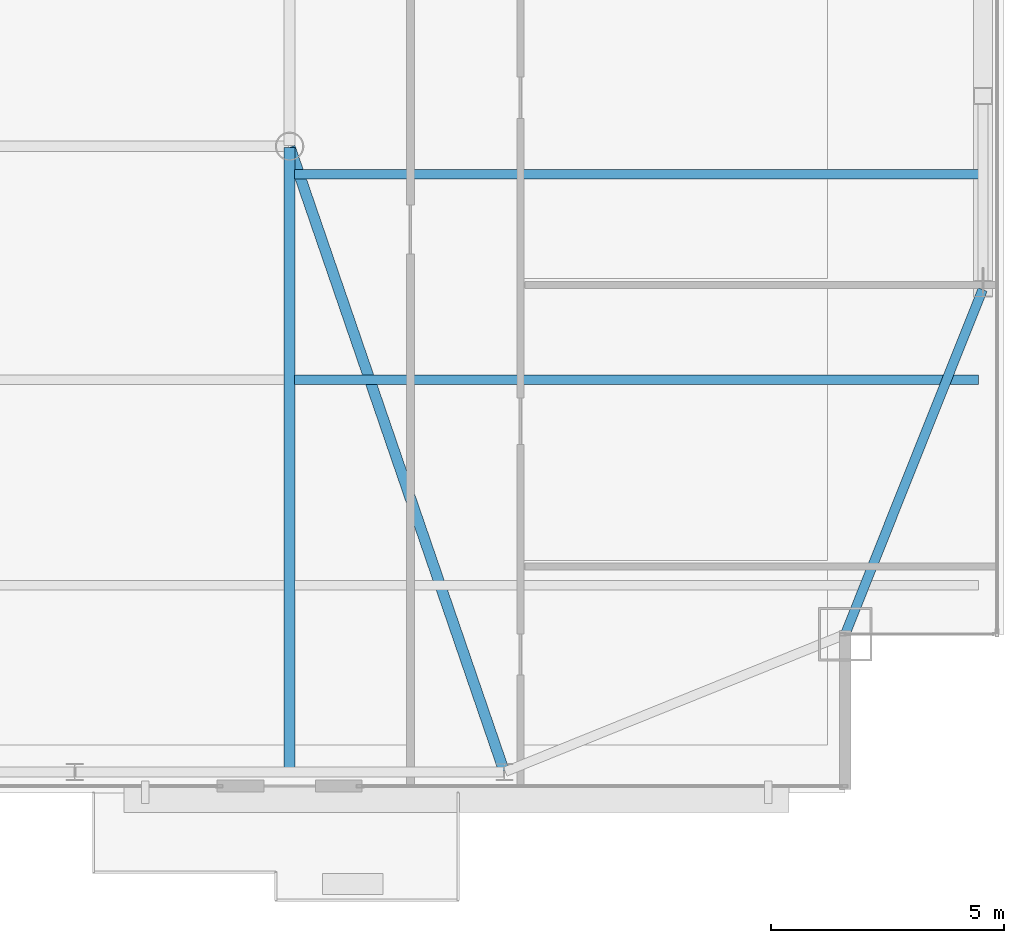
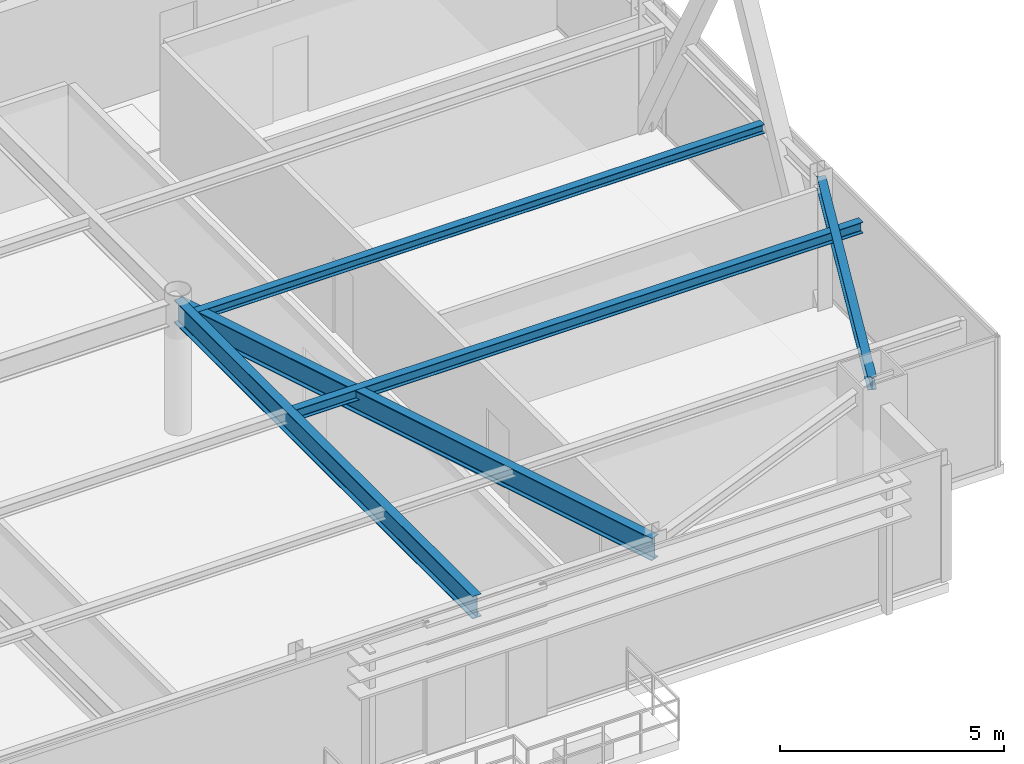
# One storey, part 16 of 31: 5 beams.
"""IFC4 building model written with IfcOpenShell, lengths in metres."""

from ifc_helpers import new_model, si_unit, direction, frame, origin, origin_2d, place, context, subcontext, project, spatial, i_section, extrude, source, transform, mapped, material, material_profile, profile_set, type_object, type_shapes, element, save


model = new_model("IFC4")

# Units and contexts
model_context = context("Model", 3, precision=1e-05, world=origin(), true_north=direction((0.0, 1.0)))
body_context = subcontext(model_context, "Body", "Model", "MODEL_VIEW")
ifc_project = project(units=[si_unit("LENGTHUNIT", "METRE"), si_unit("AREAUNIT", "SQUARE_METRE"), si_unit("VOLUMEUNIT", "CUBIC_METRE"), si_unit("PLANEANGLEUNIT", "RADIAN"), si_unit("MASSUNIT", "GRAM", prefix="KILO")], contexts=[model_context])

# Site, building, storey
site_placement = place(None, origin())
site = spatial("IfcSite", under=ifc_project, at=site_placement, CompositionType="ELEMENT")
building_placement = place(site_placement, origin())
building = spatial("IfcBuilding", under=site, at=building_placement, Name="Varnel Quay Broadcast Tower", CompositionType="ELEMENT")
storey_placement = place(building_placement, frame((0.0, 0.0, 215.0)))
storey = spatial("IfcBuildingStorey", under=building, at=storey_placement, Name="L53", CompositionType="ELEMENT", Elevation=215.0)

# Beams
ifc_material = material(Name="Structural Steel CSA G40.21 350W", Category="steel")
ifc_material_profile_1 = material_profile(ifc_material, i_section(OverallWidth=0.205078125, OverallDepth=0.35400390625, WebThickness=0.009521484375, FlangeThickness=0.016845703125, FilletRadius=0.012939453125, at=origin_2d()), Name="W360X79")
ifc_profile_set_1 = profile_set([ifc_material_profile_1], Name="Structural Steel CSA G40.21 350W")
beam_type_1 = type_object("IfcBeamType", Name="Beam_W360X79", PredefinedType="SPANDREL", material=ifc_profile_set_1)
shared_shape_1 = source(origin(), body_context, "Body", "SweptSolid", [
    extrude(i_section(OverallWidth=0.205078125, OverallDepth=0.35400390625, WebThickness=0.009521484375, FlangeThickness=0.016845703125, FilletRadius=0.012939453125, at=origin_2d()), origin(), (0.0, 0.0, 1.0), 7.92626953125),
])
type_shapes(beam_type_1, [shared_shape_1])
beam_1_placement = place(storey_placement, frame((55.107421875, 13.61865234375, 3.373046875), z_axis=(0.370296431883, 0.928913641053, 0.0), x_axis=(-0.928913641053, 0.370296431883, 0.0)))
element("IfcBeam", 1, at=beam_1_placement, inside=storey, type_object=beam_type_1, Name="L53 East Spandrel MC-SE-TC-E1", PredefinedType="SPANDREL", context=body_context, shape_type="MappedRepresentation", body=[
    mapped(shared_shape_1, transform((0.0, 0.0, 0.0), x_axis=(1.0, 0.0, 0.0), y_axis=(0.0, 1.0, 0.0), z_axis=(0.0, 0.0, 1.0), scale=1.0)),
])
ifc_material_profile_2 = material_profile(ifc_material, i_section(OverallWidth=0.22998046875, OverallDepth=0.616943359375, WebThickness=0.01318359375, FlangeThickness=0.022216796875, FilletRadius=0.01611328125, at=origin_2d()), Name="W610X140")
ifc_profile_set_2 = profile_set([ifc_material_profile_2], Name="Structural Steel CSA G40.21 350W")
beam_type_2 = type_object("IfcBeamType", Name="Girder_W610X140", PredefinedType="BEAM", material=ifc_profile_set_2)
shared_shape_2 = source(origin(), body_context, "Body", "SweptSolid", [
    extrude(i_section(OverallWidth=0.22998046875, OverallDepth=0.616943359375, WebThickness=0.01318359375, FlangeThickness=0.022216796875, FilletRadius=0.01611328125, at=origin_2d()), origin(), (0.0, 0.0, 1.0), 14.12744140625),
])
beam_2_placement = place(storey_placement, frame((47.79345703125, 10.6689453125, 3.241455078125), z_axis=(-0.324681288447, 0.945823482967, 0.0), x_axis=(-0.945823482967, -0.324681288447, 0.0)))
element("IfcBeam", 2, at=beam_2_placement, inside=storey, type_object=beam_type_2, Name="L53 Primary Girder TC-S4-IC-02", PredefinedType="BEAM", context=body_context, shape_type="MappedRepresentation", body=[
    mapped(shared_shape_2, transform((0.0, 0.0, 0.0), x_axis=(1.0, 0.0, 0.0), y_axis=(0.0, 1.0, 0.0), z_axis=(0.0, 0.0, 1.0), scale=1.0)),
])
shared_shape_3 = source(origin(), body_context, "Body", "SweptSolid", [
    extrude(i_section(OverallWidth=0.22998046875, OverallDepth=0.616943359375, WebThickness=0.01318359375, FlangeThickness=0.022216796875, FilletRadius=0.01611328125, at=origin_2d()), origin(), (0.0, 0.0, 1.0), 13.360107421875),
])
type_shapes(beam_type_2, [shared_shape_2, shared_shape_3])
beam_3_placement = place(storey_placement, frame((43.199951171875, 10.669921875, 3.241455078125), z_axis=(0.0, 1.0, 0.0), x_axis=(-1.0, 0.0, 0.0)))
element("IfcBeam", 3, at=beam_3_placement, inside=storey, type_object=beam_type_2, Name="L53 N-S Joist Header IC-02S", PredefinedType="BEAM", context=body_context, shape_type="MappedRepresentation", body=[
    mapped(shared_shape_3, transform((0.0, 0.0, 0.0), x_axis=(1.0, 0.0, 0.0), y_axis=(0.0, 1.0, 0.0), z_axis=(0.0, 0.0, 1.0), scale=1.0)),
])
ifc_material_profile_3 = material_profile(ifc_material, i_section(OverallWidth=0.201904296875, OverallDepth=0.2470703125, WebThickness=0.00732421875, FlangeThickness=0.010986328125, FilletRadius=0.010986328125, at=origin_2d()), Name="W250X49")
ifc_profile_set_3 = profile_set([ifc_material_profile_3], Name="Structural Steel CSA G40.21 350W")
beam_type_3 = type_object("IfcBeamType", Name="Beam_W250X49", PredefinedType="JOIST", material=ifc_profile_set_3)
shared_shape_4 = source(origin(), body_context, "Body", "SweptSolid", [
    extrude(i_section(OverallWidth=0.201904296875, OverallDepth=0.2470703125, WebThickness=0.00732421875, FlangeThickness=0.010986328125, FilletRadius=0.010986328125, at=origin_2d()), origin(), (0.0, 0.0, 1.0), 14.642333984375),
])
type_shapes(beam_type_3, [shared_shape_4])
beam_4_placement = place(storey_placement, frame((43.31005859375, 23.449951171875, 3.426513671875), z_axis=(1.0, 0.0, 0.0), x_axis=(0.0, 1.0, 0.0)))
element("IfcBeam", 4, at=beam_4_placement, inside=storey, type_object=beam_type_3, Name="L53 East Floor Joist 3", PredefinedType="JOIST", context=body_context, shape_type="MappedRepresentation", body=[
    mapped(shared_shape_4, transform((0.0, 0.0, 0.0), x_axis=(1.0, 0.0, 0.0), y_axis=(0.0, 1.0, 0.0), z_axis=(0.0, 0.0, 1.0), scale=1.0)),
])
ifc_material_profile_4 = material_profile(ifc_material, i_section(OverallWidth=0.202880859375, OverallDepth=0.302978515625, WebThickness=0.007568359375, FlangeThickness=0.01318359375, FilletRadius=0.011962890625, at=origin_2d()), Name="W310X60")
ifc_profile_set_4 = profile_set([ifc_material_profile_4], Name="Structural Steel CSA G40.21 350W")
beam_type_4 = type_object("IfcBeamType", Name="Beam_W310X60", PredefinedType="JOIST", material=ifc_profile_set_4)
shared_shape_5 = source(origin(), body_context, "Body", "SweptSolid", [
    extrude(i_section(OverallWidth=0.202880859375, OverallDepth=0.302978515625, WebThickness=0.007568359375, FlangeThickness=0.01318359375, FilletRadius=0.011962890625, at=origin_2d()), origin(), (0.0, 0.0, 1.0), 14.642333984375),
])
type_shapes(beam_type_4, [shared_shape_5])
beam_5_placement = place(storey_placement, frame((43.31005859375, 19.050048828125, 3.3984375), z_axis=(1.0, 0.0, 0.0), x_axis=(0.0, 1.0, 0.0)))
element("IfcBeam", 5, at=beam_5_placement, inside=storey, type_object=beam_type_4, Name="L53 East Floor Joist 2", PredefinedType="JOIST", context=body_context, shape_type="MappedRepresentation", body=[
    mapped(shared_shape_5, transform((0.0, 0.0, 0.0), x_axis=(1.0, 0.0, 0.0), y_axis=(0.0, 1.0, 0.0), z_axis=(0.0, 0.0, 1.0), scale=1.0)),
])

save(model, "model.ifc")
